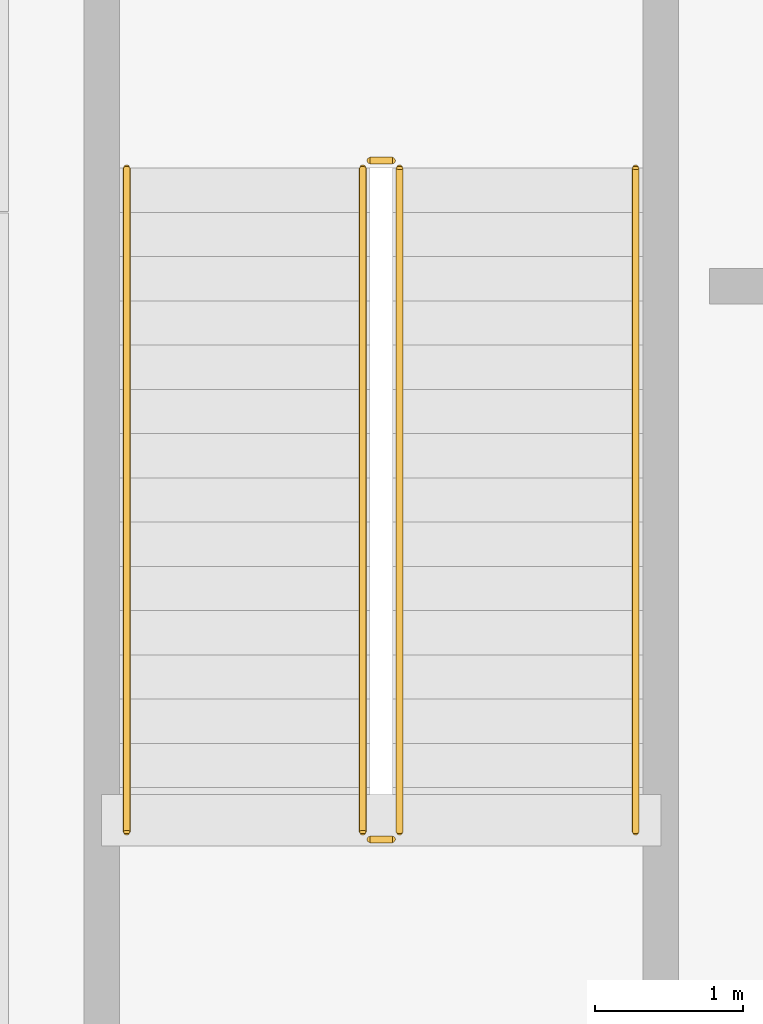
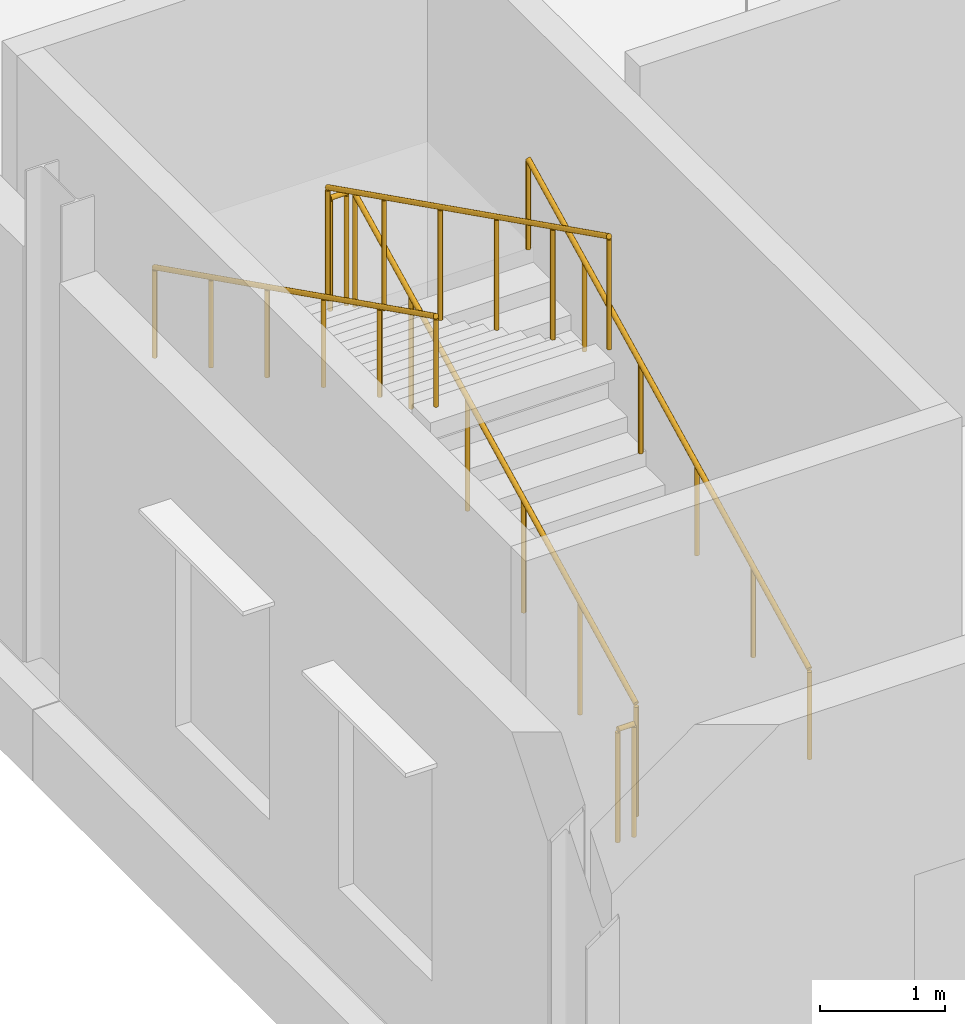
# One storey, part 78 of 82: 6 railings.
"""IFC4 building model written with IfcOpenShell, lengths in metres."""

from ifc_helpers import new_model, si_unit, direction, frame, origin, origin_2d, place, context, subcontext, project, spatial, circle, extrude, material, layer, layer_set, type_object, element, save


model = new_model("IFC4")

# Units and contexts
model_context = context("Model", 3, precision=1e-05, world=origin(), true_north=direction((0.0, 1.0)))
body_context = subcontext(model_context, "Body", "Model", "MODEL_VIEW")
ifc_project = project(units=[si_unit("LENGTHUNIT", "METRE"), si_unit("AREAUNIT", "SQUARE_METRE"), si_unit("VOLUMEUNIT", "CUBIC_METRE"), si_unit("PLANEANGLEUNIT", "RADIAN"), si_unit("MASSUNIT", "GRAM", prefix="KILO")], contexts=[model_context])

# Site, building, storey
site_placement = place(None, origin())
site = spatial("IfcSite", under=ifc_project, at=site_placement, CompositionType="ELEMENT")
building_placement = place(site_placement, origin())
building = spatial("IfcBuilding", under=site, at=building_placement, Name="Yukiwa Park Conservatory and Herbarium", CompositionType="ELEMENT")
storey_placement = place(building_placement, origin())
storey = spatial("IfcBuildingStorey", under=building, at=storey_placement, Name="L00", CompositionType="ELEMENT", Elevation=0.0)

# Railings
ifc_material_1 = material(Name="Steel Q235B", Category="steel")
ifc_layer_1 = layer(ifc_material_1, 0.050048828125)
ifc_layer_set_1 = layer_set([ifc_layer_1], Name="Steel Q235B")
railing_type_1 = type_object("IfcRailingType", Name="RL-STAIR-GUARD-1120", PredefinedType="BALUSTRADE", material=ifc_layer_set_1)
railing_1_placement = place(storey_placement, frame((17.89990234375, 82.199951171875, 0.14990234375)))
element("IfcRailing", 1, at=railing_1_placement, inside=storey, type_object=railing_type_1, Name="L00 ST-A1 stair guard 1", PredefinedType="BALUSTRADE", context=body_context, shape_type="SweptSolid", body=[
    extrude(circle(Radius=0.02392578125, at=origin_2d()), frame((0.0, 0.0, 1.09619140625), z_axis=(0.0, 0.894427191, 0.4472135955), x_axis=(-1.0, 0.0, 0.0)), (0.0, 0.0, 1.0), 5.03125),
    extrude(circle(Radius=0.02099609375, at=origin_2d()), origin(), (0.0, 0.0, 1.0), 1.072021484375),
    extrude(circle(Radius=0.02099609375, at=origin_2d()), frame((0.0, 0.89990234375, 0.449951171875)), (0.0, 0.0, 1.0), 1.072021484375),
    extrude(circle(Radius=0.02099609375, at=origin_2d()), frame((0.0, 1.800048828125, 0.89990234375)), (0.0, 0.0, 1.0), 1.072021484375),
    extrude(circle(Radius=0.02099609375, at=origin_2d()), frame((0.0, 2.699951171875, 1.35009765625)), (0.0, 0.0, 1.0), 1.072021484375),
    extrude(circle(Radius=0.02099609375, at=origin_2d()), frame((0.0, 3.60009765625, 1.800048828125)), (0.0, 0.0, 1.0), 1.072021484375),
    extrude(circle(Radius=0.02099609375, at=origin_2d()), frame((0.0, 4.5, 2.25)), (0.0, 0.0, 1.0), 1.072021484375),
])
railing_2_placement = place(storey_placement, frame((17.85009765625, 86.75, 2.39990234375)))
element("IfcRailing", 2, at=railing_2_placement, inside=storey, type_object=railing_type_1, Name="L00 ST-A1 stair guard 2", PredefinedType="BALUSTRADE", context=body_context, shape_type="SweptSolid", body=[
    extrude(circle(Radius=0.02392578125, at=origin_2d()), frame((0.0, 0.0, 1.09619140625), z_axis=(-1.0, 0.0, 0.0), x_axis=(0.0, -1.0, 0.0)), (0.0, 0.0, 1.0), 0.150146484375),
    extrude(circle(Radius=0.02099609375, at=origin_2d()), origin(), (0.0, 0.0, 1.0), 1.072021484375),
    extrude(circle(Radius=0.02099609375, at=origin_2d()), frame((-0.150146484375, 0.0, 0.0)), (0.0, 0.0, 1.0), 1.072021484375),
])
railing_3_placement = place(storey_placement, frame((17.64990234375, 86.699951171875, 2.550048828125)))
element("IfcRailing", 3, at=railing_3_placement, inside=storey, type_object=railing_type_1, Name="L00 ST-A1 stair guard 3", PredefinedType="BALUSTRADE", context=body_context, shape_type="SweptSolid", body=[
    extrude(circle(Radius=0.02392578125, at=origin_2d()), frame((0.0, 0.0, 1.09619140625), z_axis=(0.0, -0.894427191, 0.4472135955), x_axis=(1.0, 0.0, 0.0)), (0.0, 0.0, 1.0), 5.03125),
    extrude(circle(Radius=0.02099609375, at=origin_2d()), origin(), (0.0, 0.0, 1.0), 1.072021484375),
    extrude(circle(Radius=0.02099609375, at=origin_2d()), frame((0.0, -0.89990234375, 0.449951171875)), (0.0, 0.0, 1.0), 1.072021484375),
    extrude(circle(Radius=0.02099609375, at=origin_2d()), frame((0.0, -1.800048828125, 0.89990234375)), (0.0, 0.0, 1.0), 1.072021484375),
    extrude(circle(Radius=0.02099609375, at=origin_2d()), frame((0.0, -2.699951171875, 1.35009765625)), (0.0, 0.0, 1.0), 1.072021484375),
    extrude(circle(Radius=0.02099609375, at=origin_2d()), frame((0.0, -3.60009765625, 1.800048828125)), (0.0, 0.0, 1.0), 1.072021484375),
    extrude(circle(Radius=0.02099609375, at=origin_2d()), frame((0.0, -4.5, 2.25)), (0.0, 0.0, 1.0), 1.072021484375),
])
railing_4_placement = place(storey_placement, frame((17.85009765625, 82.14990234375, 0.0)))
element("IfcRailing", 4, at=railing_4_placement, inside=storey, type_object=railing_type_1, Name="L00 ST-A1 stair guard 4", PredefinedType="BALUSTRADE", context=body_context, shape_type="SweptSolid", body=[
    extrude(circle(Radius=0.02392578125, at=origin_2d()), frame((0.0, 0.0, 1.09619140625), z_axis=(-1.0, 0.0, 0.0), x_axis=(0.0, -1.0, 0.0)), (0.0, 0.0, 1.0), 0.150146484375),
    extrude(circle(Radius=0.02099609375, at=origin_2d()), origin(), (0.0, 0.0, 1.0), 1.072021484375),
    extrude(circle(Radius=0.02099609375, at=origin_2d()), frame((-0.150146484375, 0.0, 0.0)), (0.0, 0.0, 1.0), 1.072021484375),
])
ifc_material_2 = material(Name="Steel Q235B", Category="steel")
ifc_layer_2 = layer(ifc_material_2, 0.044921875)
ifc_layer_set_2 = layer_set([ifc_layer_2], Name="Steel Q235B")
railing_type_2 = type_object("IfcRailingType", Name="RL-STAIR-RAIL-900", PredefinedType="HANDRAIL", material=ifc_layer_set_2)
railing_5_placement = place(storey_placement, frame((19.5, 82.199951171875, 0.14990234375)))
element("IfcRailing", 5, at=railing_5_placement, inside=storey, type_object=railing_type_2, Name="L00 ST-A1 stair handrail 1", PredefinedType="HANDRAIL", context=body_context, shape_type="SweptSolid", body=[
    extrude(circle(Radius=0.02392578125, at=origin_2d()), frame((0.0, 0.0, 0.8759765625), z_axis=(0.0, 0.894427191, 0.4472135955), x_axis=(-1.0, 0.0, 0.0)), (0.0, 0.0, 1.0), 5.03125),
    extrude(circle(Radius=0.02099609375, at=origin_2d()), origin(), (0.0, 0.0, 1.0), 0.851806640625),
    extrude(circle(Radius=0.02099609375, at=origin_2d()), frame((0.0, 0.89990234375, 0.449951171875)), (0.0, 0.0, 1.0), 0.851806640625),
    extrude(circle(Radius=0.02099609375, at=origin_2d()), frame((0.0, 1.800048828125, 0.89990234375)), (0.0, 0.0, 1.0), 0.851806640625),
    extrude(circle(Radius=0.02099609375, at=origin_2d()), frame((0.0, 2.699951171875, 1.35009765625)), (0.0, 0.0, 1.0), 0.851806640625),
    extrude(circle(Radius=0.02099609375, at=origin_2d()), frame((0.0, 3.60009765625, 1.800048828125)), (0.0, 0.0, 1.0), 0.851806640625),
    extrude(circle(Radius=0.02099609375, at=origin_2d()), frame((0.0, 4.5, 2.25)), (0.0, 0.0, 1.0), 0.851806640625),
])
railing_6_placement = place(storey_placement, frame((16.050048828125, 86.699951171875, 2.550048828125)))
element("IfcRailing", 6, at=railing_6_placement, inside=storey, type_object=railing_type_2, Name="L00 ST-A1 stair handrail 2", PredefinedType="HANDRAIL", context=body_context, shape_type="SweptSolid", body=[
    extrude(circle(Radius=0.02392578125, at=origin_2d()), frame((0.0, 0.0, 0.8759765625), z_axis=(0.0, -0.894427191, 0.4472135955), x_axis=(1.0, 0.0, 0.0)), (0.0, 0.0, 1.0), 5.03125),
    extrude(circle(Radius=0.02099609375, at=origin_2d()), origin(), (0.0, 0.0, 1.0), 0.851806640625),
    extrude(circle(Radius=0.02099609375, at=origin_2d()), frame((0.0, -0.89990234375, 0.449951171875)), (0.0, 0.0, 1.0), 0.851806640625),
    extrude(circle(Radius=0.02099609375, at=origin_2d()), frame((0.0, -1.800048828125, 0.89990234375)), (0.0, 0.0, 1.0), 0.851806640625),
    extrude(circle(Radius=0.02099609375, at=origin_2d()), frame((0.0, -2.699951171875, 1.35009765625)), (0.0, 0.0, 1.0), 0.851806640625),
    extrude(circle(Radius=0.02099609375, at=origin_2d()), frame((0.0, -3.60009765625, 1.800048828125)), (0.0, 0.0, 1.0), 0.851806640625),
    extrude(circle(Radius=0.02099609375, at=origin_2d()), frame((0.0, -4.5, 2.25)), (0.0, 0.0, 1.0), 0.851806640625),
])

save(model, "model.ifc")
